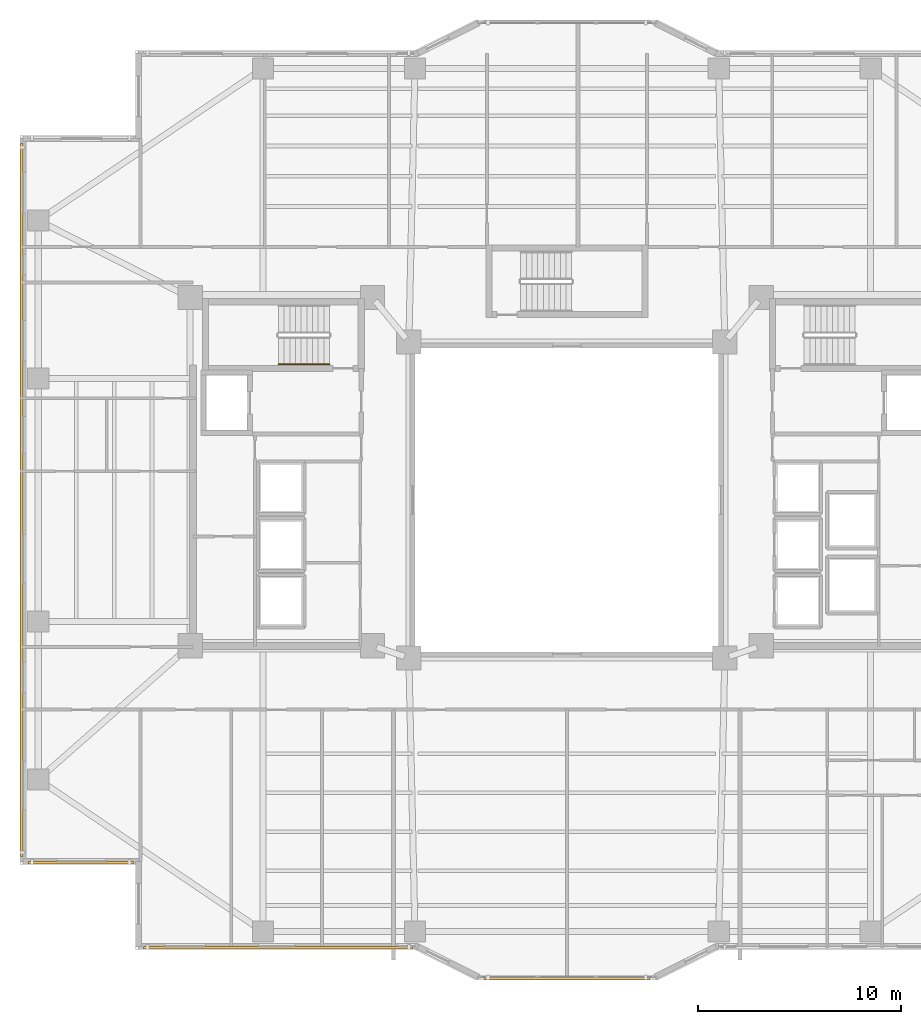
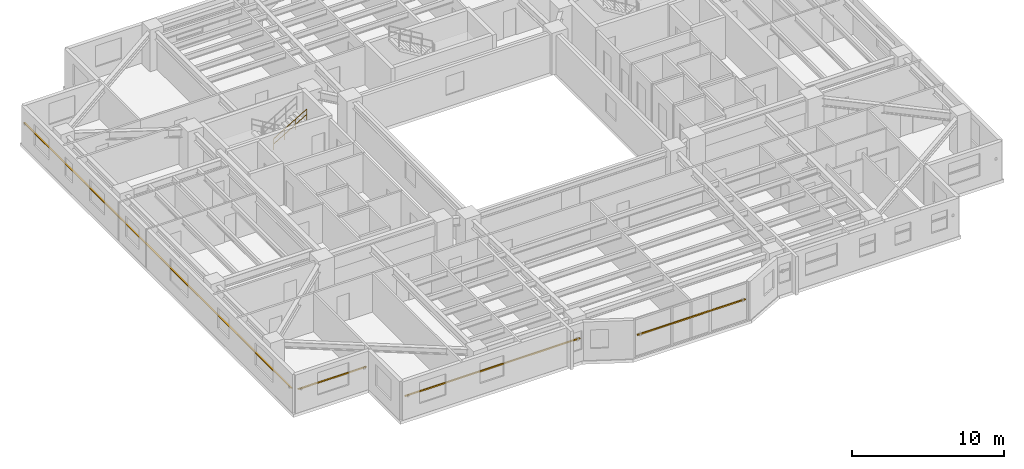
# One storey, part 14 of 18: 4 shading devices, 1 railing.
"""IFC4 building model written with IfcOpenShell, lengths in metres."""

import ifcopenshell
import ifcopenshell.guid

model = None  # the IFC model being written
_history = None  # IfcOwnerHistory: only IFC2X3 demands one
_inside = {}  # id of a spatial element -> (the spatial element, [elements in it])
_under = {}  # id of a project, library or spatial element -> (it, [spatial elements below it])
_declared = {}  # id of a project -> (the project, [libraries it declares])
_typed = {}  # id of a type object -> (the type object, [elements of that type])
_made_of = {}  # id of a material, layer set ... -> (it, [elements and type objects made of it])


def new_model(schema):
    """Start an empty IFC model of exactly this schema.

    Asked for "IFC4X3", IfcOpenShell would pick the latest addendum, in which some entities
    have other attributes; the version numbers below select the first issue.
    IFC2X3 requires an IfcOwnerHistory on every rooted entity: one is made here for all.
    """
    global model, _history
    if schema == "IFC4X3":
        model = ifcopenshell.file(schema_version=(4, 3, 0, 0))
    else:
        model = ifcopenshell.file(schema=schema)
    _inside.clear()
    _under.clear()
    _declared.clear()
    _typed.clear()
    _made_of.clear()
    _history = None
    if model.schema == "IFC2X3":
        org = make("IfcOrganization", Name="unknown")
        user = make(
            "IfcPersonAndOrganization",
            ThePerson=make("IfcPerson", FamilyName="unknown"),
            TheOrganization=org,
        )
        app = make(
            "IfcApplication",
            ApplicationDeveloper=org,
            Version="unknown",
            ApplicationFullName="unknown",
            ApplicationIdentifier="unknown",
        )
        _history = make(
            "IfcOwnerHistory",
            OwningUser=user,
            OwningApplication=app,
            ChangeAction="ADDED",
            CreationDate=0,
        )
    return model


def make(cls, **values):
    """One entity of the class cls with the attributes given. An attribute that is None is left unset."""
    return model.create_entity(
        cls, **{name: value for name, value in values.items() if value is not None}
    )


def rooted(cls, **values):
    """An entity with a GlobalId (a new one), such as an element, a storey or a relation."""
    return make(cls, GlobalId=ifcopenshell.guid.new(), OwnerHistory=_history, **values)


def si_unit(unit_type, name, prefix=None):
    """IfcSIUnit, for example si_unit("LENGTHUNIT", "METRE", prefix="MILLI")."""
    return make("IfcSIUnit", UnitType=unit_type, Prefix=prefix, Name=name)


def assignment(units):
    """IfcUnitAssignment: the units of a project."""
    return None if units is None else make("IfcUnitAssignment", Units=units)


def point(xyz):
    """IfcCartesianPoint."""
    return None if xyz is None else make("IfcCartesianPoint", Coordinates=xyz)


def direction(xyz):
    """IfcDirection."""
    return None if xyz is None else make("IfcDirection", DirectionRatios=xyz)


def frame(location, z_axis=None, x_axis=None):
    """IfcAxis2Placement3D, a coordinate frame: its origin and axes. An axis left out is left unset."""
    return make(
        "IfcAxis2Placement3D",
        Location=point(location),
        Axis=direction(z_axis),
        RefDirection=direction(x_axis),
    )


def frame_2d(location, x_axis=None):
    """IfcAxis2Placement2D, a coordinate frame in the plane: its origin and x axis."""
    return make(
        "IfcAxis2Placement2D", Location=point(location), RefDirection=direction(x_axis)
    )


def origin():
    """The frame at (0, 0, 0) with its axes left unset."""
    return frame((0.0, 0.0, 0.0))


def origin_2d():
    """The frame at (0, 0) in the plane with its x axis left unset."""
    return frame_2d((0.0, 0.0))


def place(relative_to, where):
    """IfcLocalPlacement: puts the frame where relative to a parent placement (None: the world)."""
    return make(
        "IfcLocalPlacement", PlacementRelTo=relative_to, RelativePlacement=where
    )


def context(
    kind, dimensions, precision=None, world=None, true_north=None, identifier=None
):
    """IfcGeometricRepresentationContext, for example the 3D "Model" context."""
    return make(
        "IfcGeometricRepresentationContext",
        ContextIdentifier=identifier,
        ContextType=kind,
        CoordinateSpaceDimension=dimensions,
        Precision=precision,
        WorldCoordinateSystem=world,
        TrueNorth=true_north,
    )


def subcontext(parent, identifier, kind, view, scale=None):
    """IfcGeometricRepresentationSubContext, for example "Body" below "Model"."""
    return make(
        "IfcGeometricRepresentationSubContext",
        ContextIdentifier=identifier,
        ContextType=kind,
        ParentContext=parent,
        TargetScale=scale,
        TargetView=view,
    )


def project(units=None, contexts=None):
    """IfcProject with its units and contexts."""
    return rooted(
        "IfcProject",
        Name="project",
        RepresentationContexts=contexts,
        UnitsInContext=assignment(units),
    )


def spatial(cls, under=None, at=None, **own):
    """A site, building, storey or space (cls), placed at a placement, below another one or the project."""
    s = rooted(cls, ObjectPlacement=at, **own)
    if under is not None:
        _under.setdefault(under.id(), (under, []))[1].append(s)
    return s


def profile(cls, at=None, kind="AREA", **sizes):
    """A parametric profile (cls). Its sizes go by their IFC names, for example OverallWidth=200.0."""
    return make(cls, ProfileType=kind, Position=at, **sizes)


def rectangle(**sizes):
    """IfcRectangleProfileDef."""
    return profile("IfcRectangleProfileDef", **sizes)


def circle(**sizes):
    """IfcCircleProfileDef."""
    return profile("IfcCircleProfileDef", **sizes)


def extrude(swept, where, along, depth):
    """IfcExtrudedAreaSolid: the profile swept, set in the frame where, extruded along a direction by depth."""
    return make(
        "IfcExtrudedAreaSolid",
        SweptArea=swept,
        Position=where,
        ExtrudedDirection=direction(along),
        Depth=depth,
    )


def shape(context_of_items, identifier, shape_type, items):
    """IfcShapeRepresentation: the items that make up one representation, for example the "Body"."""
    return make(
        "IfcShapeRepresentation",
        ContextOfItems=context_of_items,
        RepresentationIdentifier=identifier,
        RepresentationType=shape_type,
        Items=items,
    )


def material(Name=None, Category=None):
    """IfcMaterial."""
    return make("IfcMaterial", Name=Name, Category=Category)


def material_profile(
    of_material, cross_section, Name=None, Category=None, Priority=None
):
    """IfcMaterialProfile: a cross section and its material."""
    return make(
        "IfcMaterialProfile",
        Name=Name,
        Material=of_material,
        Profile=cross_section,
        Priority=Priority,
        Category=Category,
    )


def profile_set(profiles, Name=None, composite=None):
    """IfcMaterialProfileSet."""
    return make(
        "IfcMaterialProfileSet",
        Name=Name,
        MaterialProfiles=profiles,
        CompositeProfile=composite,
    )


def made_of(thing, what):
    """Note that an element or type object is made of a material, layer set ...; save() writes the relation."""
    if what is not None:
        _made_of.setdefault(what.id(), (what, []))[1].append(thing)
    return thing


def type_object(cls, material=None, **own):
    """A type object (cls), such as IfcWallType, which elements share."""
    return made_of(rooted(cls, **own), material)


def element(
    cls,
    number,
    at=None,
    inside=None,
    cuts=None,
    type_object=None,
    material=None,
    context=None,
    identifier="Body",
    shape_type=None,
    held_by="IfcProductDefinitionShape",
    body=None,
    shapes=None,
    **own,
):
    """One element of the class cls, such as IfcWall. Its Tag is "e" and its number.

    at: its placement. inside: the storey or other place that contains it. cuts: it is an
    opening in that element (IfcRelVoidsElement). A single representation is given by context,
    identifier, shape_type and body (its items); several are given by shapes. held_by: the class
    of the entity that holds the representations. save() writes the other relations.
    """
    e = rooted(cls, Tag="e%d" % number, ObjectPlacement=at, **own)
    if body is not None:
        shapes = [shape(context, identifier, shape_type, body)]
    if shapes is not None:
        e.Representation = make(held_by, Representations=shapes)
    if inside is not None:
        _inside.setdefault(inside.id(), (inside, []))[1].append(e)
    if cuts is not None:
        rooted(
            "IfcRelVoidsElement", RelatingBuildingElement=cuts, RelatedOpeningElement=e
        )
    if type_object is not None:
        _typed.setdefault(type_object.id(), (type_object, []))[1].append(e)
    return made_of(e, material)


def aggregate(whole, parts):
    """IfcRelAggregates: a whole, such as a stair, and the parts it consists of."""
    return rooted("IfcRelAggregates", RelatingObject=whole, RelatedObjects=parts)


def save(model, path):
    """Write the relations noted so far, then the file.

    IfcRelAggregates (storeys below a building ...), IfcRelContainedInSpatialStructure (elements
    in a storey), IfcRelDefinesByType, IfcRelAssociatesMaterial and IfcRelDeclares: one each for
    every whole, place, type object, material and project.
    """
    for whole, parts in _under.values():
        aggregate(whole, parts)
    for where, things in _inside.values():
        rooted(
            "IfcRelContainedInSpatialStructure",
            RelatedElements=things,
            RelatingStructure=where,
        )
    for kind, things in _typed.values():
        rooted("IfcRelDefinesByType", RelatedObjects=things, RelatingType=kind)
    for what, things in _made_of.values():
        rooted("IfcRelAssociatesMaterial", RelatedObjects=things, RelatingMaterial=what)
    for by, libraries in _declared.values():
        rooted("IfcRelDeclares", RelatingContext=by, RelatedDefinitions=libraries)
    model.write(path)


model = new_model("IFC4")

# Units and contexts
model_context = context("Model", 3, precision=1e-05, world=origin(), true_north=direction((0.0, 1.0)))
body_context = subcontext(model_context, "Body", "Model", "MODEL_VIEW")
ifc_project = project(units=[si_unit("LENGTHUNIT", "METRE"), si_unit("AREAUNIT", "SQUARE_METRE"), si_unit("VOLUMEUNIT", "CUBIC_METRE"), si_unit("PLANEANGLEUNIT", "RADIAN"), si_unit("MASSUNIT", "GRAM", prefix="KILO")], contexts=[model_context])

# Site, building, storey
site_placement = place(None, origin())
site = spatial("IfcSite", under=ifc_project, at=site_placement, CompositionType="ELEMENT")
building_placement = place(site_placement, origin())
building = spatial("IfcBuilding", under=site, at=building_placement, Name="Tarnavaz Court Tower", CompositionType="ELEMENT")
storey_placement = place(building_placement, frame((0.0, 0.0, 108.449951171875)))
storey = spatial("IfcBuildingStorey", under=building, at=storey_placement, Name="L29", CompositionType="ELEMENT", Elevation=108.449951171875)

# Railing
ifc_material_1 = material(Name="Brushed Stainless Steel", Category="steel")
railing_type = type_object("IfcRailingType", Name="RL-HANDRAIL-900", PredefinedType="HANDRAIL", material=ifc_material_1)
railing_placement = place(storey_placement, frame((-14.239990234375, 6.699951171875, 1.842529296875)))
element("IfcRailing", 1, at=railing_placement, inside=storey, type_object=railing_type, Name="L29 ST-W1 stair handrail 2", PredefinedType="HANDRAIL", context=body_context, shape_type="SweptSolid", body=[
    extrude(circle(Radius=0.02392578125, at=origin_2d()), frame((0.0, 0.0, 0.8759765625), z_axis=(0.858159760407, 0.0, 0.513382728203), x_axis=(0.0, 1.0, 0.0)), (0.0, 0.0, 1.0), 2.9365234375),
    extrude(circle(Radius=0.02392578125, at=origin_2d()), frame((0.0, 0.0, 0.449951171875), z_axis=(0.858159760407, 0.0, 0.513382728203), x_axis=(0.0, 1.0, 0.0)), (0.0, 0.0, 1.0), 2.9365234375),
    extrude(circle(Radius=0.02099609375, at=origin_2d()), origin(), (0.0, 0.0, 1.0), 0.851806640625),
    extrude(circle(Radius=0.02099609375, at=origin_2d()), frame((0.840087890625, 0.0, 0.50244140625)), (0.0, 0.0, 1.0), 0.851806640625),
    extrude(circle(Radius=0.02099609375, at=origin_2d()), frame((1.679931640625, 0.0, 1.005126953125)), (0.0, 0.0, 1.0), 0.851806640625),
    extrude(circle(Radius=0.02099609375, at=origin_2d()), frame((2.52001953125, 0.0, 1.507568359375)), (0.0, 0.0, 1.0), 0.851806640625),
])

# Shading devices
ifc_material_2 = material(Name="Kiln-Fired Khorasan Terracotta Ceramic", Category="masonry")
ifc_material_profile = material_profile(ifc_material_2, rectangle(XDim=0.1201171875, YDim=0.06005859375, at=origin_2d()), Name="TC BAGUETTE 120X60")
ifc_profile_set = profile_set([ifc_material_profile], Name="Kiln-Fired Khorasan Terracotta Ceramic")
shading_device_type = type_object("IfcShadingDeviceType", Name="SD-BAG-120", PredefinedType="USERDEFINED", material=ifc_profile_set)
shading_device_1_placement = place(storey_placement, frame((-21.39990234375, -17.909912109375, 1.85009765625), z_axis=(-1.0, 0.0, 0.0), x_axis=(0.0, -1.0, 0.0)))
element("IfcShadingDevice", 2, at=shading_device_1_placement, inside=storey, type_object=shading_device_type, Name="L29 Terracotta Baguette Screen FBG01", ObjectType="BAGUETTE", PredefinedType="USERDEFINED", context=body_context, shape_type="SweptSolid", body=[
    extrude(rectangle(XDim=0.1201171875, YDim=0.06005859375, at=origin_2d()), origin(), (0.0, 0.0, 1.0), 5.2001953125),
])
shading_device_2_placement = place(storey_placement, frame((-26.909912109375, -17.60009765625, 1.85009765625), z_axis=(0.0, 1.0, 0.0), x_axis=(-1.0, 0.0, 0.0)))
element("IfcShadingDevice", 3, at=shading_device_2_placement, inside=storey, type_object=shading_device_type, Name="L29 Terracotta Baguette Screen FBG02", ObjectType="BAGUETTE", PredefinedType="USERDEFINED", context=body_context, shape_type="SweptSolid", body=[
    extrude(rectangle(XDim=0.1201171875, YDim=0.06005859375, at=origin_2d()), origin(), (0.0, 0.0, 1.0), 35.2001953125),
])
shading_device_3_placement = place(storey_placement, frame((4.10009765625, -23.610107421875, 1.800048828125), z_axis=(-1.0, 0.0, 0.0), x_axis=(0.0, -1.0, 0.0)))
element("IfcShadingDevice", 4, at=shading_device_3_placement, inside=storey, type_object=shading_device_type, Name="L29 Terracotta Baguette Screen PBG17", ObjectType="BAGUETTE", PredefinedType="USERDEFINED", context=body_context, shape_type="SweptSolid", body=[
    extrude(rectangle(XDim=0.1201171875, YDim=0.06005859375, at=origin_2d()), origin(), (0.0, 0.0, 1.0), 8.2001953125),
])
shading_device_4_placement = place(storey_placement, frame((-7.60009765625, -22.110107421875, 1.85009765625), z_axis=(-1.0, 0.0, 0.0), x_axis=(0.0, -1.0, 0.0)))
element("IfcShadingDevice", 5, at=shading_device_4_placement, inside=storey, type_object=shading_device_type, Name="L29 Terracotta Baguette Screen FBG19", ObjectType="BAGUETTE", PredefinedType="USERDEFINED", context=body_context, shape_type="SweptSolid", body=[
    extrude(rectangle(XDim=0.1201171875, YDim=0.06005859375, at=origin_2d()), origin(), (0.0, 0.0, 1.0), 13.2998046875),
])

save(model, "model.ifc")
